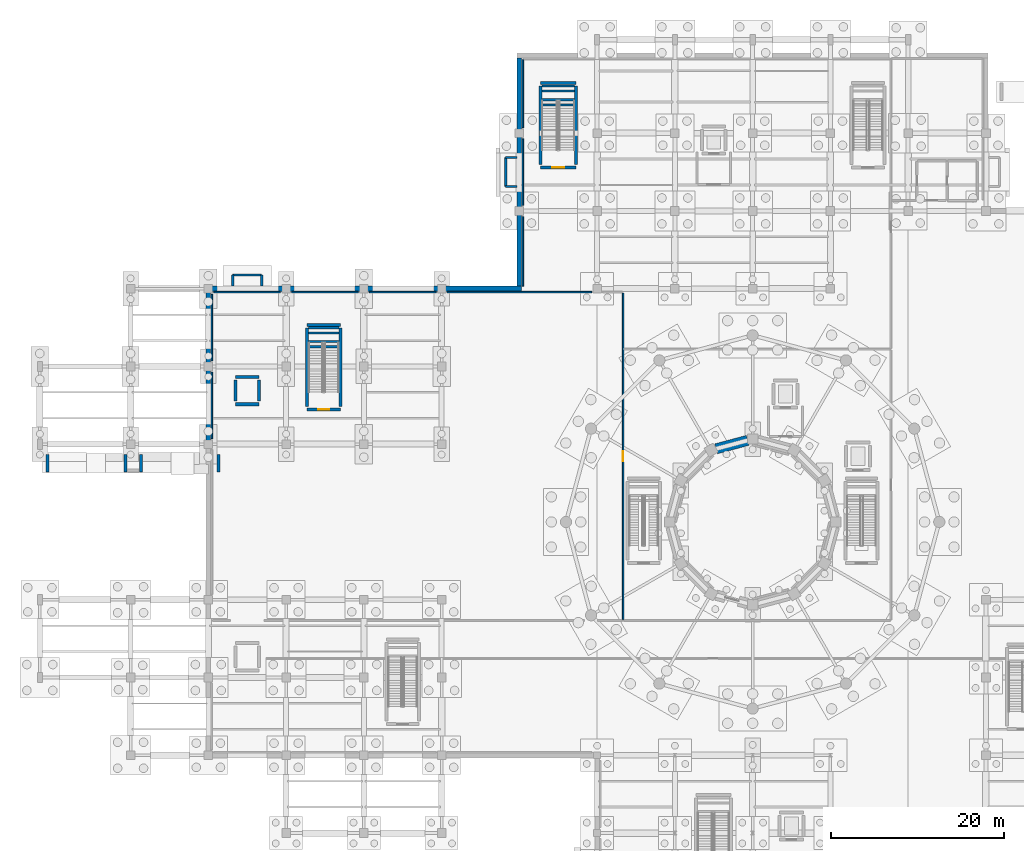
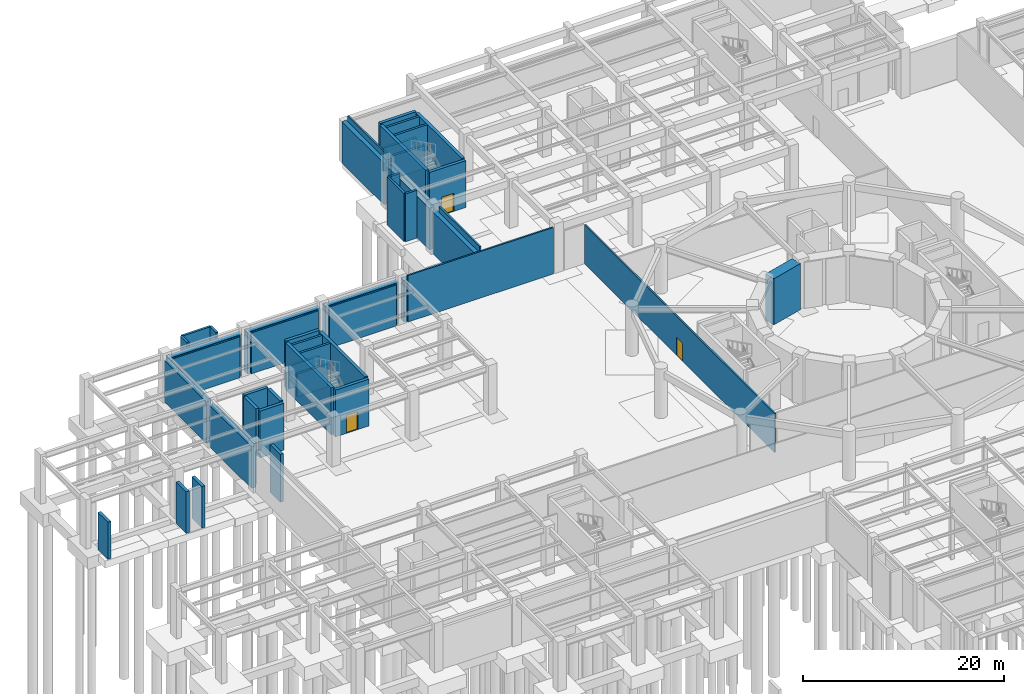
# One storey, part 20 of 36: 50 walls, 3 doors, 3 openings.
"""IFC4 building model written with IfcOpenShell, lengths in metres."""

import ifcopenshell
import ifcopenshell.guid

model = None  # the IFC model being written
_history = None  # IfcOwnerHistory: only IFC2X3 demands one
_inside = {}  # id of a spatial element -> (the spatial element, [elements in it])
_under = {}  # id of a project, library or spatial element -> (it, [spatial elements below it])
_declared = {}  # id of a project -> (the project, [libraries it declares])
_typed = {}  # id of a type object -> (the type object, [elements of that type])
_made_of = {}  # id of a material, layer set ... -> (it, [elements and type objects made of it])


def new_model(schema):
    """Start an empty IFC model of exactly this schema.

    Asked for "IFC4X3", IfcOpenShell would pick the latest addendum, in which some entities
    have other attributes; the version numbers below select the first issue.
    IFC2X3 requires an IfcOwnerHistory on every rooted entity: one is made here for all.
    """
    global model, _history
    if schema == "IFC4X3":
        model = ifcopenshell.file(schema_version=(4, 3, 0, 0))
    else:
        model = ifcopenshell.file(schema=schema)
    _inside.clear()
    _under.clear()
    _declared.clear()
    _typed.clear()
    _made_of.clear()
    _history = None
    if model.schema == "IFC2X3":
        org = make("IfcOrganization", Name="unknown")
        user = make(
            "IfcPersonAndOrganization",
            ThePerson=make("IfcPerson", FamilyName="unknown"),
            TheOrganization=org,
        )
        app = make(
            "IfcApplication",
            ApplicationDeveloper=org,
            Version="unknown",
            ApplicationFullName="unknown",
            ApplicationIdentifier="unknown",
        )
        _history = make(
            "IfcOwnerHistory",
            OwningUser=user,
            OwningApplication=app,
            ChangeAction="ADDED",
            CreationDate=0,
        )
    return model


def make(cls, **values):
    """One entity of the class cls with the attributes given. An attribute that is None is left unset."""
    return model.create_entity(
        cls, **{name: value for name, value in values.items() if value is not None}
    )


def rooted(cls, **values):
    """An entity with a GlobalId (a new one), such as an element, a storey or a relation."""
    return make(cls, GlobalId=ifcopenshell.guid.new(), OwnerHistory=_history, **values)


def si_unit(unit_type, name, prefix=None):
    """IfcSIUnit, for example si_unit("LENGTHUNIT", "METRE", prefix="MILLI")."""
    return make("IfcSIUnit", UnitType=unit_type, Prefix=prefix, Name=name)


def assignment(units):
    """IfcUnitAssignment: the units of a project."""
    return None if units is None else make("IfcUnitAssignment", Units=units)


def point(xyz):
    """IfcCartesianPoint."""
    return None if xyz is None else make("IfcCartesianPoint", Coordinates=xyz)


def direction(xyz):
    """IfcDirection."""
    return None if xyz is None else make("IfcDirection", DirectionRatios=xyz)


def frame(location, z_axis=None, x_axis=None):
    """IfcAxis2Placement3D, a coordinate frame: its origin and axes. An axis left out is left unset."""
    return make(
        "IfcAxis2Placement3D",
        Location=point(location),
        Axis=direction(z_axis),
        RefDirection=direction(x_axis),
    )


def frame_2d(location, x_axis=None):
    """IfcAxis2Placement2D, a coordinate frame in the plane: its origin and x axis."""
    return make(
        "IfcAxis2Placement2D", Location=point(location), RefDirection=direction(x_axis)
    )


def origin():
    """The frame at (0, 0, 0) with its axes left unset."""
    return frame((0.0, 0.0, 0.0))


def place(relative_to, where):
    """IfcLocalPlacement: puts the frame where relative to a parent placement (None: the world)."""
    return make(
        "IfcLocalPlacement", PlacementRelTo=relative_to, RelativePlacement=where
    )


def context(
    kind, dimensions, precision=None, world=None, true_north=None, identifier=None
):
    """IfcGeometricRepresentationContext, for example the 3D "Model" context."""
    return make(
        "IfcGeometricRepresentationContext",
        ContextIdentifier=identifier,
        ContextType=kind,
        CoordinateSpaceDimension=dimensions,
        Precision=precision,
        WorldCoordinateSystem=world,
        TrueNorth=true_north,
    )


def subcontext(parent, identifier, kind, view, scale=None):
    """IfcGeometricRepresentationSubContext, for example "Body" below "Model"."""
    return make(
        "IfcGeometricRepresentationSubContext",
        ContextIdentifier=identifier,
        ContextType=kind,
        ParentContext=parent,
        TargetScale=scale,
        TargetView=view,
    )


def project(units=None, contexts=None):
    """IfcProject with its units and contexts."""
    return rooted(
        "IfcProject",
        Name="project",
        RepresentationContexts=contexts,
        UnitsInContext=assignment(units),
    )


def spatial(cls, under=None, at=None, **own):
    """A site, building, storey or space (cls), placed at a placement, below another one or the project."""
    s = rooted(cls, ObjectPlacement=at, **own)
    if under is not None:
        _under.setdefault(under.id(), (under, []))[1].append(s)
    return s


def profile(cls, at=None, kind="AREA", **sizes):
    """A parametric profile (cls). Its sizes go by their IFC names, for example OverallWidth=200.0."""
    return make(cls, ProfileType=kind, Position=at, **sizes)


def rectangle(**sizes):
    """IfcRectangleProfileDef."""
    return profile("IfcRectangleProfileDef", **sizes)


def extrude(swept, where, along, depth):
    """IfcExtrudedAreaSolid: the profile swept, set in the frame where, extruded along a direction by depth."""
    return make(
        "IfcExtrudedAreaSolid",
        SweptArea=swept,
        Position=where,
        ExtrudedDirection=direction(along),
        Depth=depth,
    )


def shape(context_of_items, identifier, shape_type, items):
    """IfcShapeRepresentation: the items that make up one representation, for example the "Body"."""
    return make(
        "IfcShapeRepresentation",
        ContextOfItems=context_of_items,
        RepresentationIdentifier=identifier,
        RepresentationType=shape_type,
        Items=items,
    )


def material(Name=None, Category=None):
    """IfcMaterial."""
    return make("IfcMaterial", Name=Name, Category=Category)


def layer(
    of_material, thickness, ventilated=None, Name=None, Category=None, Priority=None
):
    """IfcMaterialLayer: one layer of a wall or slab, of a material (None: an air gap)."""
    return make(
        "IfcMaterialLayer",
        Material=of_material,
        LayerThickness=thickness,
        IsVentilated=ventilated,
        Name=Name,
        Category=Category,
        Priority=Priority,
    )


def layer_set(layers, Name=None):
    """IfcMaterialLayerSet."""
    return make("IfcMaterialLayerSet", MaterialLayers=layers, LayerSetName=Name)


def made_of(thing, what):
    """Note that an element or type object is made of a material, layer set ...; save() writes the relation."""
    if what is not None:
        _made_of.setdefault(what.id(), (what, []))[1].append(thing)
    return thing


def type_object(cls, material=None, **own):
    """A type object (cls), such as IfcWallType, which elements share."""
    return made_of(rooted(cls, **own), material)


def element(
    cls,
    number,
    at=None,
    inside=None,
    cuts=None,
    type_object=None,
    material=None,
    context=None,
    identifier="Body",
    shape_type=None,
    held_by="IfcProductDefinitionShape",
    body=None,
    shapes=None,
    **own,
):
    """One element of the class cls, such as IfcWall. Its Tag is "e" and its number.

    at: its placement. inside: the storey or other place that contains it. cuts: it is an
    opening in that element (IfcRelVoidsElement). A single representation is given by context,
    identifier, shape_type and body (its items); several are given by shapes. held_by: the class
    of the entity that holds the representations. save() writes the other relations.
    """
    e = rooted(cls, Tag="e%d" % number, ObjectPlacement=at, **own)
    if body is not None:
        shapes = [shape(context, identifier, shape_type, body)]
    if shapes is not None:
        e.Representation = make(held_by, Representations=shapes)
    if inside is not None:
        _inside.setdefault(inside.id(), (inside, []))[1].append(e)
    if cuts is not None:
        rooted(
            "IfcRelVoidsElement", RelatingBuildingElement=cuts, RelatedOpeningElement=e
        )
    if type_object is not None:
        _typed.setdefault(type_object.id(), (type_object, []))[1].append(e)
    return made_of(e, material)


def fill(opening, filler):
    """IfcRelFillsElement: the door or window that sits in an opening."""
    return rooted(
        "IfcRelFillsElement",
        RelatingOpeningElement=opening,
        RelatedBuildingElement=filler,
    )


def aggregate(whole, parts):
    """IfcRelAggregates: a whole, such as a stair, and the parts it consists of."""
    return rooted("IfcRelAggregates", RelatingObject=whole, RelatedObjects=parts)


def save(model, path):
    """Write the relations noted so far, then the file.

    IfcRelAggregates (storeys below a building ...), IfcRelContainedInSpatialStructure (elements
    in a storey), IfcRelDefinesByType, IfcRelAssociatesMaterial and IfcRelDeclares: one each for
    every whole, place, type object, material and project.
    """
    for whole, parts in _under.values():
        aggregate(whole, parts)
    for where, things in _inside.values():
        rooted(
            "IfcRelContainedInSpatialStructure",
            RelatedElements=things,
            RelatingStructure=where,
        )
    for kind, things in _typed.values():
        rooted("IfcRelDefinesByType", RelatedObjects=things, RelatingType=kind)
    for what, things in _made_of.values():
        rooted("IfcRelAssociatesMaterial", RelatedObjects=things, RelatingMaterial=what)
    for by, libraries in _declared.values():
        rooted("IfcRelDeclares", RelatingContext=by, RelatedDefinitions=libraries)
    model.write(path)


model = new_model("IFC4")

# Units and contexts
model_context = context("Model", 3, precision=1e-05, world=origin(), true_north=direction((0.0, 1.0)))
body_context = subcontext(model_context, "Body", "Model", "MODEL_VIEW")
ifc_project = project(units=[si_unit("LENGTHUNIT", "METRE"), si_unit("AREAUNIT", "SQUARE_METRE"), si_unit("VOLUMEUNIT", "CUBIC_METRE"), si_unit("PLANEANGLEUNIT", "RADIAN"), si_unit("MASSUNIT", "GRAM", prefix="KILO")], contexts=[model_context])

# Site, building, storey
site_placement = place(None, origin())
site = spatial("IfcSite", under=ifc_project, at=site_placement, CompositionType="ELEMENT")
building_placement = place(site_placement, origin())
building = spatial("IfcBuilding", under=site, at=building_placement, Name="Haizhuo Lancet Aquarium", CompositionType="ELEMENT")
storey_placement = place(building_placement, frame((0.0, 0.0, -6.0)))
storey = spatial("IfcBuildingStorey", under=building, at=storey_placement, Name="B1", CompositionType="ELEMENT", Elevation=-6.0)

# Wall, opening, door
ifc_material_1 = material(Name="Concrete C40/50", Category="concrete")
ifc_layer_1 = layer(ifc_material_1, 0.179931640625)
ifc_layer_set_1 = layer_set([ifc_layer_1], Name="Concrete C40/50")
wall_type_1 = type_object("IfcWallType", Name="IWL-LAB-180", PredefinedType="PARTITIONING", material=ifc_layer_set_1)
wall_1_placement = place(storey_placement, frame((-15.0, -11.300048828125, 0.0), z_axis=(0.0, 0.0, 1.0), x_axis=(0.0, 1.0, 0.0)))
wall_1 = element("IfcWall", 1, at=wall_1_placement, inside=storey, type_object=wall_type_1, Name="B1 partition wall 37", PredefinedType="PARTITIONING", context=body_context, shape_type="SweptSolid", body=[
    extrude(rectangle(XDim=37.800048828125, YDim=0.179931640625, at=frame_2d((18.89990234375, 0.0))), origin(), (0.0, 0.0, 1.0), 4.735107421875),
])
opening_1_placement = place(wall_1_placement, frame((18.300048828125, 0.0, 0.0)))
opening_1 = element("IfcOpeningElement", 2, at=opening_1_placement, cuts=wall_1, Name="Opening D-04", PredefinedType="OPENING", context=body_context, shape_type="SweptSolid", body=[
    extrude(rectangle(XDim=1.199951171875, YDim=2.199951171875, at=frame_2d((0.60009765625, 1.10009765625))), frame((0.0, 0.099853515625, 0.0), z_axis=(0.0, -1.0, 0.0), x_axis=(1.0, 0.0, 0.0)), (0.0, 0.0, 1.0), 0.199932),
])
ifc_material_2 = material(Name="Steel S355", Category="steel")
door_type_1 = type_object("IfcDoorType", Name="IDR-LAB-1200x2200", OperationType="NOTDEFINED", PredefinedType="DOOR", material=ifc_material_2)
door_1_placement = place(opening_1_placement, origin())
door_1 = element("IfcDoor", 3, at=door_1_placement, inside=storey, type_object=door_type_1, Name="B1 Primary Pelagic Life Support Plant door", OperationType="SINGLE_SWING_RIGHT", OverallHeight=2.199951171875, OverallWidth=1.199951171875, PredefinedType="DOOR", context=body_context, shape_type="SweptSolid", body=[
    extrude(rectangle(XDim=1.199951171875, YDim=2.199951171875, at=frame_2d((0.60009765625, 1.10009765625))), frame((0.0, 0.02490234375, 0.0), z_axis=(0.0, -1.0, 0.0), x_axis=(1.0, 0.0, 0.0)), (0.0, 0.0, 1.0), 0.050048828125),
])
fill(opening_1, door_1)

# Walls
wall_2_placement = place(storey_placement, frame((-18.64990234375, 26.60009765625, 0.0), z_axis=(0.0, 0.0, 1.0), x_axis=(-1.0, 0.0, 0.0)))
element("IfcWall", 4, at=wall_2_placement, inside=storey, type_object=wall_type_1, Name="B1 partition wall 39", PredefinedType="PARTITIONING", context=body_context, shape_type="SweptSolid", body=[
    extrude(rectangle(XDim=16.7001953125, YDim=0.179931640625, at=frame_2d((8.35009765625, 0.0))), origin(), (0.0, 0.0, 1.0), 5.64990234375),
])
for number, where, z_axis, x_axis, name in (
    (5, (-36.64990234375, 26.60009765625, 0.0), (0.0, 0.0, 1.0), (-1.0, 0.0, 0.0), "B1 partition wall 40"),
    (6, (-45.64990234375, 26.60009765625, 0.0), (0.0, 0.0, 1.0), (-1.0, 0.0, 0.0), "B1 partition wall 41"),
    (7, (-54.64990234375, 26.60009765625, 0.0), (0.0, 0.0, 1.0), (-1.0, 0.0, 0.0), "B1 partition wall 42"),
    (8, (-62.60009765625, 26.35009765625, 0.0), (0.0, 0.0, 1.0), (0.0, -1.0, 0.0), "B1 partition wall 43"),
    (9, (-62.60009765625, 17.35009765625, 0.0), (0.0, 0.0, 1.0), (0.0, -1.0, 0.0), "B1 partition wall 44"),
):
    element("IfcWall", number, at=place(storey_placement, frame(where, z_axis=z_axis, x_axis=x_axis)), inside=storey, type_object=wall_type_1, Name=name, PredefinedType="PARTITIONING", context=body_context, shape_type="SweptSolid", body=[
        extrude(rectangle(XDim=7.7001953125, YDim=0.179931640625, at=frame_2d((3.85009765625, 0.0))), origin(), (0.0, 0.0, 1.0), 4.985107421875),
    ])
wall_3_placement = place(storey_placement, frame((-26.60009765625, 35.35009765625, 0.0), z_axis=(0.0, 0.0, 1.0), x_axis=(0.0, -1.0, 0.0)))
element("IfcWall", 10, at=wall_3_placement, inside=storey, type_object=wall_type_1, Name="B1 partition wall 66", PredefinedType="PARTITIONING", context=body_context, shape_type="SweptSolid", body=[
    extrude(rectangle(XDim=8.06201171875, YDim=0.179931640625, at=frame_2d((4.031005859375, 0.0))), origin(), (0.0, 0.0, 1.0), 5.64990234375),
])
wall_4_placement = place(storey_placement, frame((-26.60009765625, 53.5, 0.0), z_axis=(0.0, 0.0, 1.0), x_axis=(0.0, -1.0, 0.0)))
element("IfcWall", 11, at=wall_4_placement, inside=storey, type_object=wall_type_1, Name="B1 partition wall 70", PredefinedType="PARTITIONING", context=body_context, shape_type="SweptSolid", body=[
    extrude(rectangle(XDim=7.85009765625, YDim=0.179931640625, at=frame_2d((3.925048828125, 0.0))), origin(), (0.0, 0.0, 1.0), 5.64990234375),
])
wall_5_placement = place(storey_placement, frame((-26.60009765625, 44.35009765625, 0.0), z_axis=(0.0, 0.0, 1.0), x_axis=(0.0, -1.0, 0.0)))
element("IfcWall", 12, at=wall_5_placement, inside=storey, type_object=wall_type_1, Name="B1 partition wall 71", PredefinedType="PARTITIONING", context=body_context, shape_type="SweptSolid", body=[
    extrude(rectangle(XDim=7.7001953125, YDim=0.179931640625, at=frame_2d((3.85009765625, 0.0))), origin(), (0.0, 0.0, 1.0), 4.8349609375),
])
ifc_layer_2 = layer(ifc_material_1, 0.35009765625)
ifc_layer_set_2 = layer_set([ifc_layer_2], Name="Concrete C40/50")
wall_type_2 = type_object("IfcWallType", Name="WL-CORE-350", PredefinedType="SHEAR", material=ifc_layer_set_2)
for number, where, z_axis, x_axis, name in (
    (13, (-51.39990234375, 20.875, 0.0), (0.0, 0.0, 1.0), (1.0, 0.0, 0.0), "B1 ST-03 landing support wall"),
    (14, (-51.39990234375, 22.47509765625, 0.0), (0.0, 0.0, 1.0), (1.0, 0.0, 0.0), "B1 ST-03 far landing support wall"),
):
    element("IfcWall", number, at=place(storey_placement, frame(where, z_axis=z_axis, x_axis=x_axis)), inside=storey, type_object=wall_type_2, Name=name, PredefinedType="SHEAR", context=body_context, shape_type="SweptSolid", body=[
        extrude(rectangle(XDim=3.5, YDim=0.25, at=frame_2d((1.75, 0.0))), origin(), (0.0, 0.0, 1.0), 2.800048828125),
    ])
for number, where, z_axis, x_axis, name in (
    (15, (-51.39990234375, 20.27490234375, 0.0), (0.0, 0.0, 1.0), (1.0, 0.0, 0.0), "B1 ST-03 upper landing support wall UP1"),
    (16, (-51.39990234375, 21.875, 0.0), (0.0, 0.0, 1.0), (1.0, 0.0, 0.0), "B1 ST-03 upper landing support wall UP2"),
):
    element("IfcWall", number, at=place(storey_placement, frame(where, z_axis=z_axis, x_axis=x_axis)), inside=storey, type_object=wall_type_2, Name=name, PredefinedType="SHEAR", context=body_context, shape_type="SweptSolid", body=[
        extrude(rectangle(XDim=3.5, YDim=0.25, at=frame_2d((1.75, 0.0))), origin(), (0.0, 0.0, 1.0), 5.699951171875),
    ])

# Wall, opening, door
wall_6_placement = place(storey_placement, frame((-51.574951171875, 13.02490234375, 0.0), z_axis=(0.0, 0.0, 1.0), x_axis=(1.0, 0.0, 0.0)))
wall_6 = element("IfcWall", 17, at=wall_6_placement, inside=storey, type_object=wall_type_2, Name="B1 ST-03 core shear wall S", PredefinedType="SHEAR", context=body_context, shape_type="SweptSolid", body=[
    extrude(rectangle(XDim=3.849853515625, YDim=0.35009765625, at=frame_2d((1.9248046875, 0.0))), origin(), (0.0, 0.0, 1.0), 5.699951171875),
])
opening_2_placement = place(wall_6_placement, frame((1.27490234375, 0.0, 0.0)))
opening_2 = element("IfcOpeningElement", 18, at=opening_2_placement, cuts=wall_6, Name="Opening FD-02", PredefinedType="OPENING", context=body_context, shape_type="SweptSolid", body=[
    extrude(rectangle(XDim=1.300048828125, YDim=2.199951171875, at=frame_2d((0.64990234375, 1.10009765625))), frame((0.0, 0.18505859375, 0.0), z_axis=(0.0, -1.0, 0.0), x_axis=(1.0, 0.0, 0.0)), (0.0, 0.0, 1.0), 0.370098),
])
door_type_2 = type_object("IfcDoorType", Name="IDR-STAIR-1300x2200", OperationType="NOTDEFINED", PredefinedType="DOOR", material=ifc_material_2)
door_2_placement = place(opening_2_placement, origin())
door_2 = element("IfcDoor", 19, at=door_2_placement, inside=storey, type_object=door_type_2, Name="B1 ST-03 stairwell fire door", OperationType="SINGLE_SWING_LEFT", OverallHeight=2.199951171875, OverallWidth=1.300048828125, PredefinedType="DOOR", context=body_context, shape_type="SweptSolid", body=[
    extrude(rectangle(XDim=1.300048828125, YDim=2.199951171875, at=frame_2d((0.64990234375, 1.10009765625))), frame((0.0, 0.02490234375, 0.0), z_axis=(0.0, -1.0, 0.0), x_axis=(1.0, 0.0, 0.0)), (0.0, 0.0, 1.0), 0.050048828125),
])
fill(opening_2, door_2)

# Walls
wall_7_placement = place(storey_placement, frame((-51.574951171875, 22.824951171875, 0.0), z_axis=(0.0, 0.0, 1.0), x_axis=(1.0, 0.0, 0.0)))
element("IfcWall", 20, at=wall_7_placement, inside=storey, type_object=wall_type_2, Name="B1 ST-03 core shear wall N", PredefinedType="SHEAR", context=body_context, shape_type="SweptSolid", body=[
    extrude(rectangle(XDim=3.849853515625, YDim=0.35009765625, at=frame_2d((1.9248046875, 0.0))), origin(), (0.0, 0.0, 1.0), 5.699951171875),
])
for number, where, z_axis, x_axis, name in (
    (21, (-51.574951171875, 13.375, 0.0), (0.0, 0.0, 1.0), (0.0, 1.0, 0.0), "B1 ST-03 core shear wall W"),
    (22, (-47.72509765625, 13.375, 0.0), (0.0, 0.0, 1.0), (0.0, 1.0, 0.0), "B1 ST-03 core shear wall E"),
):
    element("IfcWall", number, at=place(storey_placement, frame(where, z_axis=z_axis, x_axis=x_axis)), inside=storey, type_object=wall_type_2, Name=name, PredefinedType="SHEAR", context=body_context, shape_type="SweptSolid", body=[
        extrude(rectangle(XDim=9.10009765625, YDim=0.35009765625, at=frame_2d((4.550048828125, 0.0))), origin(), (0.0, 0.0, 1.0), 5.699951171875),
    ])
for number, where, z_axis, x_axis, name in (
    (23, (-24.39990234375, 48.875, 0.0), (0.0, 0.0, 1.0), (1.0, 0.0, 0.0), "B1 ST-07 landing support wall"),
    (24, (-24.39990234375, 50.47509765625, 0.0), (0.0, 0.0, 1.0), (1.0, 0.0, 0.0), "B1 ST-07 far landing support wall"),
):
    element("IfcWall", number, at=place(storey_placement, frame(where, z_axis=z_axis, x_axis=x_axis)), inside=storey, type_object=wall_type_2, Name=name, PredefinedType="SHEAR", context=body_context, shape_type="SweptSolid", body=[
        extrude(rectangle(XDim=3.7998046875, YDim=0.25, at=frame_2d((1.89990234375, 0.0))), origin(), (0.0, 0.0, 1.0), 2.800048828125),
    ])
for number, where, z_axis, x_axis, name in (
    (25, (-24.39990234375, 48.27490234375, 0.0), (0.0, 0.0, 1.0), (1.0, 0.0, 0.0), "B1 ST-07 upper landing support wall UP1"),
    (26, (-24.39990234375, 49.875, 0.0), (0.0, 0.0, 1.0), (1.0, 0.0, 0.0), "B1 ST-07 upper landing support wall UP2"),
):
    element("IfcWall", number, at=place(storey_placement, frame(where, z_axis=z_axis, x_axis=x_axis)), inside=storey, type_object=wall_type_2, Name=name, PredefinedType="SHEAR", context=body_context, shape_type="SweptSolid", body=[
        extrude(rectangle(XDim=3.7998046875, YDim=0.25, at=frame_2d((1.89990234375, 0.0))), origin(), (0.0, 0.0, 1.0), 5.699951171875),
    ])

# Wall, opening, door
wall_8_placement = place(storey_placement, frame((-24.574951171875, 41.02490234375, 0.0), z_axis=(0.0, 0.0, 1.0), x_axis=(1.0, 0.0, 0.0)))
wall_8 = element("IfcWall", 27, at=wall_8_placement, inside=storey, type_object=wall_type_2, Name="B1 ST-07 core shear wall S", PredefinedType="SHEAR", context=body_context, shape_type="SweptSolid", body=[
    extrude(rectangle(XDim=4.14990234375, YDim=0.35009765625, at=frame_2d((2.074951171875, 0.0))), origin(), (0.0, 0.0, 1.0), 5.699951171875),
])
opening_3_placement = place(wall_8_placement, frame((1.375, 0.0, 0.0)))
opening_3 = element("IfcOpeningElement", 28, at=opening_3_placement, cuts=wall_8, Name="Opening FD-01", PredefinedType="OPENING", context=body_context, shape_type="SweptSolid", body=[
    extrude(rectangle(XDim=1.39990234375, YDim=2.199951171875, at=frame_2d((0.699951171875, 1.10009765625))), frame((0.0, 0.18505859375, 0.0), z_axis=(0.0, -1.0, 0.0), x_axis=(1.0, 0.0, 0.0)), (0.0, 0.0, 1.0), 0.370098),
])
door_type_3 = type_object("IfcDoorType", Name="IDR-STAIR-1400x2200", OperationType="NOTDEFINED", PredefinedType="DOOR", material=ifc_material_2)
door_3_placement = place(opening_3_placement, origin())
door_3 = element("IfcDoor", 29, at=door_3_placement, inside=storey, type_object=door_type_3, Name="B1 ST-07 stairwell fire door", OperationType="SINGLE_SWING_LEFT", OverallHeight=2.199951171875, OverallWidth=1.39990234375, PredefinedType="DOOR", context=body_context, shape_type="SweptSolid", body=[
    extrude(rectangle(XDim=1.39990234375, YDim=2.199951171875, at=frame_2d((0.699951171875, 1.10009765625))), frame((0.0, 0.02490234375, 0.0), z_axis=(0.0, -1.0, 0.0), x_axis=(1.0, 0.0, 0.0)), (0.0, 0.0, 1.0), 0.050048828125),
])
fill(opening_3, door_3)

# Walls
wall_9_placement = place(storey_placement, frame((-24.574951171875, 50.824951171875, 0.0), z_axis=(0.0, 0.0, 1.0), x_axis=(1.0, 0.0, 0.0)))
element("IfcWall", 30, at=wall_9_placement, inside=storey, type_object=wall_type_2, Name="B1 ST-07 core shear wall N", PredefinedType="SHEAR", context=body_context, shape_type="SweptSolid", body=[
    extrude(rectangle(XDim=4.14990234375, YDim=0.35009765625, at=frame_2d((2.074951171875, 0.0))), origin(), (0.0, 0.0, 1.0), 5.699951171875),
])
for number, where, z_axis, x_axis, name in (
    (31, (-24.574951171875, 41.375, 0.0), (0.0, 0.0, 1.0), (0.0, 1.0, 0.0), "B1 ST-07 core shear wall W"),
    (32, (-20.425048828125, 41.375, 0.0), (0.0, 0.0, 1.0), (0.0, 1.0, 0.0), "B1 ST-07 core shear wall E"),
):
    element("IfcWall", number, at=place(storey_placement, frame(where, z_axis=z_axis, x_axis=x_axis)), inside=storey, type_object=wall_type_2, Name=name, PredefinedType="SHEAR", context=body_context, shape_type="SweptSolid", body=[
        extrude(rectangle(XDim=9.10009765625, YDim=0.35009765625, at=frame_2d((4.550048828125, 0.0))), origin(), (0.0, 0.0, 1.0), 5.699951171875),
    ])
for number, where, z_axis, x_axis, name in (
    (33, (-59.875, 13.625, 0.0), (0.0, 0.0, 1.0), (1.0, 0.0, 0.0), "B1 LP-04 lift shaft wall -Y"),
    (34, (-57.125, 16.77490234375, 0.0), (0.0, 0.0, 1.0), (-1.0, 0.0, 0.0), "B1 LP-04 lift shaft wall +Y"),
):
    element("IfcWall", number, at=place(storey_placement, frame(where, z_axis=z_axis, x_axis=x_axis)), inside=storey, type_object=wall_type_2, Name=name, PredefinedType="SHEAR", context=body_context, shape_type="SweptSolid", body=[
        extrude(rectangle(XDim=2.75, YDim=0.35009765625, at=frame_2d((1.375, 0.0))), origin(), (0.0, 0.0, 1.0), 5.699951171875),
    ])
for number, where, z_axis, x_axis, name in (
    (35, (-59.875, 13.97509765625, 0.0), (0.0, 0.0, 1.0), (0.0, 1.0, 0.0), "B1 LP-04 lift shaft wall -X"),
    (36, (-57.125, 13.97509765625, 0.0), (0.0, 0.0, 1.0), (0.0, 1.0, 0.0), "B1 LP-04 lift shaft wall +X"),
):
    element("IfcWall", number, at=place(storey_placement, frame(where, z_axis=z_axis, x_axis=x_axis)), inside=storey, type_object=wall_type_2, Name=name, PredefinedType="SHEAR", context=body_context, shape_type="SweptSolid", body=[
        extrude(rectangle(XDim=2.449951171875, YDim=0.35009765625, at=frame_2d((1.22509765625, 0.0))), origin(), (0.0, 0.0, 1.0), 5.699951171875),
    ])
wall_10_placement = place(storey_placement, frame((-81.60009765625, 5.800048828125, 0.0), z_axis=(0.0, 0.0, 1.0), x_axis=(0.0, 1.0, 0.0)))
element("IfcWall", 37, at=wall_10_placement, inside=storey, type_object=wall_type_2, material=ifc_material_1, Name="West Avenue Accessible Plinth Ramp RMP-01 bearing wall BOT", PredefinedType="SOLIDWALL", context=body_context, shape_type="SweptSolid", body=[
    extrude(rectangle(XDim=2.0, YDim=0.35009765625, at=frame_2d((1.0, 0.0))), origin(), (0.0, 0.0, 1.0), 4.5),
])
for number, where, z_axis, x_axis, name in (
    (38, (-72.60009765625, 5.800048828125, 0.0), (0.0, 0.0, 1.0), (0.0, 1.0, 0.0), "West Avenue Accessible Plinth Ramp RMP-01 bearing wall MID1"),
    (39, (-70.800048828125, 5.800048828125, 0.0), (0.0, 0.0, 1.0), (0.0, 1.0, 0.0), "West Avenue Accessible Plinth Ramp RMP-01 bearing wall MID2"),
):
    element("IfcWall", number, at=place(storey_placement, frame(where, z_axis=z_axis, x_axis=x_axis)), inside=storey, type_object=wall_type_2, material=ifc_material_1, Name=name, PredefinedType="SOLIDWALL", context=body_context, shape_type="SweptSolid", body=[
        extrude(rectangle(XDim=2.0, YDim=0.35009765625, at=frame_2d((1.0, 0.0))), origin(), (0.0, 0.0, 1.0), 5.051025390625),
    ])
wall_11_placement = place(storey_placement, frame((-61.800048828125, 5.800048828125, 0.0), z_axis=(0.0, 0.0, 1.0), x_axis=(0.0, 1.0, 0.0)))
element("IfcWall", 40, at=wall_11_placement, inside=storey, type_object=wall_type_2, material=ifc_material_1, Name="West Avenue Accessible Plinth Ramp RMP-01 bearing wall TOP", PredefinedType="SOLIDWALL", context=body_context, shape_type="SweptSolid", body=[
    extrude(rectangle(XDim=2.0, YDim=0.35009765625, at=frame_2d((1.0, 0.0))), origin(), (0.0, 0.0, 1.0), 5.801025390625),
])
for number, where, z_axis, x_axis, name in (
    (41, (-56.820068359375, 28.580078125, 0.0), (0.0, 0.0, 1.0), (0.0, -1.0, 0.0), "Entrance apron skirt wall 1.1"),
    (42, (-60.179931640625, 27.284912109375, 0.0), (0.0, 0.0, 1.0), (0.0, 1.0, 0.0), "Entrance apron skirt wall 1.2"),
):
    element("IfcWall", number, at=place(storey_placement, frame(where, z_axis=z_axis, x_axis=x_axis)), inside=storey, type_object=wall_type_2, material=ifc_material_1, Name=name, PredefinedType="SOLIDWALL", context=body_context, shape_type="SweptSolid", body=[
        extrude(rectangle(XDim=1.295166015625, YDim=0.25, at=frame_2d((0.6474609375, 0.0))), origin(), (0.0, 0.0, 1.0), 5.800048828125),
    ])
wall_12_placement = place(storey_placement, frame((-60.179931640625, 28.580078125, 0.0), z_axis=(0.0, 0.0, 1.0), x_axis=(1.0, 0.0, 0.0)))
element("IfcWall", 43, at=wall_12_placement, inside=storey, type_object=wall_type_2, material=ifc_material_1, Name="Entrance apron skirt wall 1.3", PredefinedType="SOLIDWALL", context=body_context, shape_type="SweptSolid", body=[
    extrude(rectangle(XDim=3.35986328125, YDim=0.25, at=frame_2d((1.679931640625, 0.0))), origin(), (0.0, 0.0, 1.0), 5.800048828125),
])
wall_13_placement = place(storey_placement, frame((-27.27001953125, 38.820068359375, 0.0), z_axis=(0.0, 0.0, 1.0), x_axis=(-1.0, 0.0, 0.0)))
element("IfcWall", 44, at=wall_13_placement, inside=storey, type_object=wall_type_2, material=ifc_material_1, Name="Entrance apron skirt wall 2.1", PredefinedType="SOLIDWALL", context=body_context, shape_type="SweptSolid", body=[
    extrude(rectangle(XDim=1.31005859375, YDim=0.25, at=frame_2d((0.655029296875, 0.0))), origin(), (0.0, 0.0, 1.0), 5.800048828125),
])
wall_14_placement = place(storey_placement, frame((-28.580078125, 38.820068359375, 0.0), z_axis=(0.0, 0.0, 1.0), x_axis=(0.0, 1.0, 0.0)))
element("IfcWall", 45, at=wall_14_placement, inside=storey, type_object=wall_type_2, material=ifc_material_1, Name="Entrance apron skirt wall 2.2", PredefinedType="SOLIDWALL", context=body_context, shape_type="SweptSolid", body=[
    extrude(rectangle(XDim=3.35986328125, YDim=0.25, at=frame_2d((1.679931640625, 0.0))), origin(), (0.0, 0.0, 1.0), 5.800048828125),
])
wall_15_placement = place(storey_placement, frame((-28.580078125, 42.179931640625, 0.0), z_axis=(0.0, 0.0, 1.0), x_axis=(1.0, 0.0, 0.0)))
element("IfcWall", 46, at=wall_15_placement, inside=storey, type_object=wall_type_2, material=ifc_material_1, Name="Entrance apron skirt wall 2.3", PredefinedType="SOLIDWALL", context=body_context, shape_type="SweptSolid", body=[
    extrude(rectangle(XDim=1.31005859375, YDim=0.25, at=frame_2d((0.655029296875, 0.0))), origin(), (0.0, 0.0, 1.0), 5.800048828125),
])
ifc_material_3 = material(Name="Concrete C45/55", Category="concrete")
ifc_layer_3 = layer(ifc_material_3, 0.5)
ifc_layer_set_3 = layer_set([ifc_layer_3], Name="Concrete C45/55")
wall_type_3 = type_object("IfcWallType", Name="WL-RET-500", PredefinedType="USERDEFINED", material=ifc_layer_set_3)
for number, where, z_axis, x_axis, name in (
    (47, (-27.0, 53.699951171875, 0.0), (0.0, 0.0, 1.0), (0.0, -1.0, 0.0), "B1 waterproof perimeter retaining wall 14.1"),
    (48, (-27.0, 44.699951171875, 0.0), (0.0, 0.0, 1.0), (0.0, -1.0, 0.0), "B1 waterproof perimeter retaining wall 14.2"),
    (49, (-27.0, 35.699951171875, 0.0), (0.0, 0.0, 1.0), (0.0, -1.0, 0.0), "B1 waterproof perimeter retaining wall 14.3"),
    (50, (-63.0, 26.699951171875, 0.0), (0.0, 0.0, 1.0), (0.0, -1.0, 0.0), "B1 waterproof perimeter retaining wall 16.1"),
    (51, (-63.0, 17.699951171875, 0.0), (0.0, 0.0, 1.0), (0.0, -1.0, 0.0), "B1 waterproof perimeter retaining wall 16.2"),
):
    element("IfcWall", number, at=place(storey_placement, frame(where, z_axis=z_axis, x_axis=x_axis)), inside=storey, type_object=wall_type_3, Name=name, ObjectType="RETAININGWALL", PredefinedType="USERDEFINED", context=body_context, shape_type="SweptSolid", body=[
        extrude(rectangle(XDim=8.39990234375, YDim=0.5, at=frame_2d((4.199951171875, 0.0))), origin(), (0.0, 0.0, 1.0), 5.050048828125),
    ])
ifc_layer_4 = layer(ifc_material_3, 0.60009765625)
ifc_layer_set_4 = layer_set([ifc_layer_4], Name="Concrete C45/55")
wall_type_4 = type_object("IfcWallType", Name="WL-RET-600", PredefinedType="USERDEFINED", material=ifc_layer_set_4)
wall_16_placement = place(storey_placement, frame((-26.75, 27.0, 0.0), z_axis=(0.0, 0.0, 1.0), x_axis=(-1.0, 0.0, 0.0)))
element("IfcWall", 52, at=wall_16_placement, inside=storey, type_object=wall_type_4, Name="B1 waterproof perimeter retaining wall 15.1", ObjectType="RETAININGWALL", PredefinedType="USERDEFINED", context=body_context, shape_type="SweptSolid", body=[
    extrude(rectangle(XDim=8.949951171875, YDim=0.60009765625, at=frame_2d((4.47509765625, 0.0))), origin(), (0.0, 0.0, 1.0), 5.050048828125),
])
for number, where, z_axis, x_axis, name in (
    (53, (-36.300048828125, 27.0, 0.0), (0.0, 0.0, 1.0), (-1.0, 0.0, 0.0), "B1 waterproof perimeter retaining wall 15.2"),
    (54, (-45.300048828125, 27.0, 0.0), (0.0, 0.0, 1.0), (-1.0, 0.0, 0.0), "B1 waterproof perimeter retaining wall 15.3"),
    (55, (-54.300048828125, 27.0, 0.0), (0.0, 0.0, 1.0), (-1.0, 0.0, 0.0), "B1 waterproof perimeter retaining wall 15.4"),
):
    element("IfcWall", number, at=place(storey_placement, frame(where, z_axis=z_axis, x_axis=x_axis)), inside=storey, type_object=wall_type_4, Name=name, ObjectType="RETAININGWALL", PredefinedType="USERDEFINED", context=body_context, shape_type="SweptSolid", body=[
        extrude(rectangle(XDim=8.39990234375, YDim=0.60009765625, at=frame_2d((4.199951171875, 0.0))), origin(), (0.0, 0.0, 1.0), 5.050048828125),
    ])
ifc_layer_5 = layer(ifc_material_3, 1.199951171875)
ifc_layer_set_5 = layer_set([ifc_layer_5], Name="Concrete C45/55")
wall_type_5 = type_object("IfcWallType", Name="WL-TANK-1200", PredefinedType="SHEAR", material=ifc_layer_set_5)
wall_17_placement = place(storey_placement, frame((-0.580078125, 9.445068359375, 0.0), z_axis=(0.0, 0.0, 1.0), x_axis=(-0.965874862682, -0.259009169026, 0.0)))
element("IfcWall", 56, at=wall_17_placement, inside=storey, type_object=wall_type_5, Name="B1 Pelagic Ocean Tank hydrostatic wall chord 4", PredefinedType="SHEAR", context=body_context, shape_type="SweptSolid", body=[
    extrude(rectangle(XDim=3.7685546875, YDim=1.199951171875, at=frame_2d((1.88427734375, 0.0))), origin(), (0.0, 0.0, 1.0), 5.60009765625),
])

save(model, "model.ifc")
